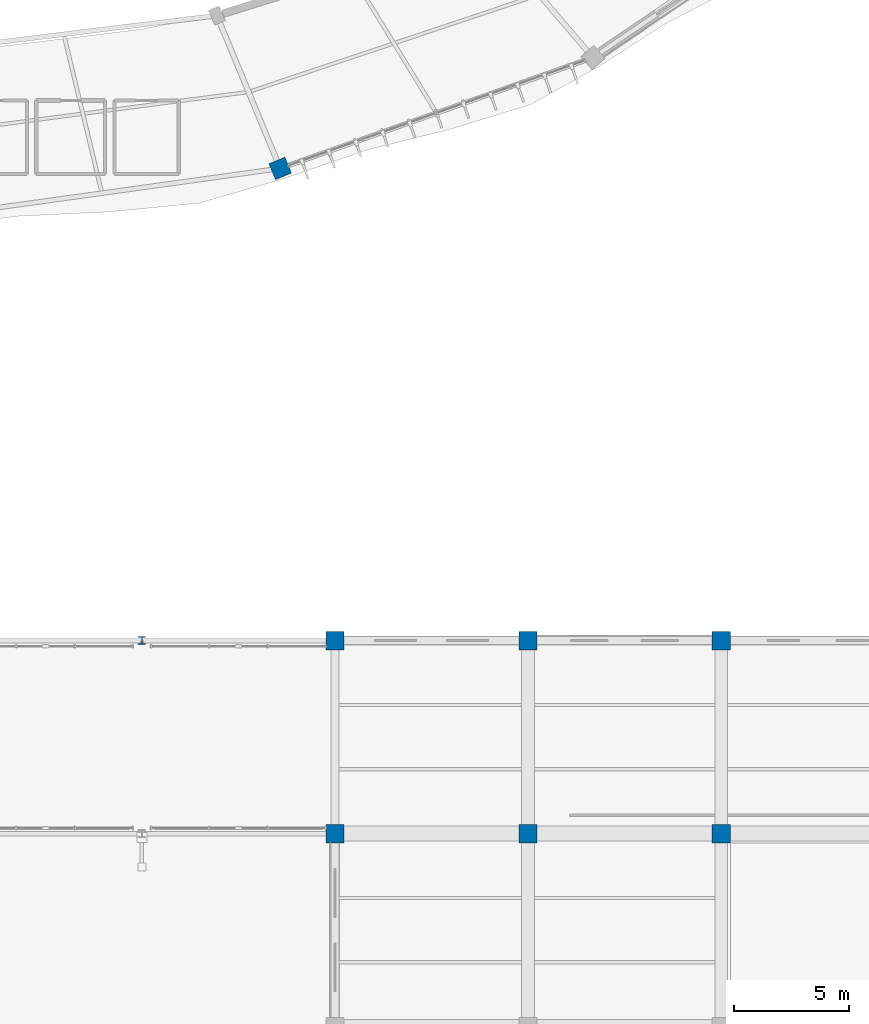
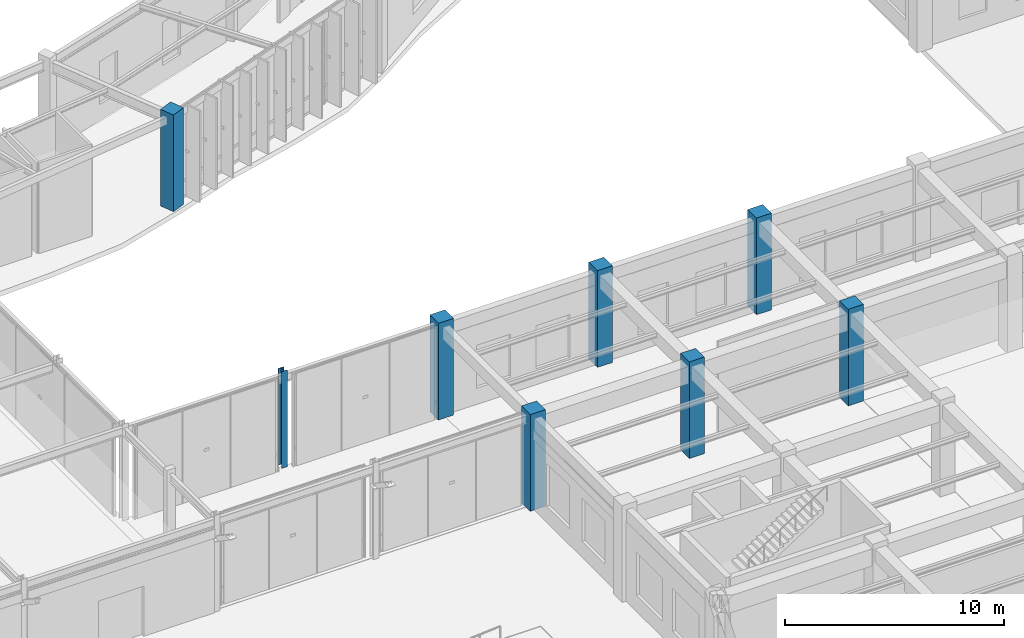
# One storey, part 4 of 157: 8 columns.
"""IFC4 building model written with IfcOpenShell, lengths in metres."""

from ifc_helpers import new_model, si_unit, direction, frame, origin, origin_2d, place, context, subcontext, project, spatial, rectangle, i_section, extrude, material, material_profile, profile_set, type_object, element, save


model = new_model("IFC4")

# Units and contexts
model_context = context("Model", 3, precision=1e-05, world=origin(), true_north=direction((0.0, 1.0)))
body_context = subcontext(model_context, "Body", "Model", "MODEL_VIEW")
ifc_project = project(units=[si_unit("LENGTHUNIT", "METRE"), si_unit("AREAUNIT", "SQUARE_METRE"), si_unit("VOLUMEUNIT", "CUBIC_METRE"), si_unit("PLANEANGLEUNIT", "RADIAN"), si_unit("MASSUNIT", "GRAM", prefix="KILO"), si_unit("THERMODYNAMICTEMPERATUREUNIT", "KELVIN"), si_unit("POWERUNIT", "WATT")], contexts=[model_context])

# Site, building, storey
site_placement = place(None, origin())
site = spatial("IfcSite", under=ifc_project, at=site_placement, CompositionType="ELEMENT")
building_placement = place(site_placement, origin())
building = spatial("IfcBuilding", under=site, at=building_placement, Name="Darbajah Civic Hall", CompositionType="ELEMENT")
storey_placement = place(building_placement, origin())
storey = spatial("IfcBuildingStorey", under=building, at=storey_placement, Name="L00", CompositionType="ELEMENT", Elevation=0.0)

# Columns
ifc_material_1 = material(Name="Concrete C50/60", Category="concrete")
ifc_material_profile_1 = material_profile(ifc_material_1, rectangle(XDim=0.75, YDim=0.75, at=origin_2d()), Name="RC COL 750x750")
ifc_profile_set_1 = profile_set([ifc_material_profile_1], Name="Concrete C50/60")
column_type_1 = type_object("IfcColumnType", Name="RC COL 750x750", PredefinedType="COLUMN", material=ifc_profile_set_1)
column_1_placement = place(storey_placement, frame((108.616943359375, 62.545654296875, 0.0), z_axis=(0.0, 0.0, 1.0), x_axis=(0.382683432365, -0.923879532511, 0.0)))
element("IfcColumn", 1, at=column_1_placement, inside=storey, type_object=column_type_1, Name="L00 column C-RC750", PredefinedType="COLUMN", context=body_context, shape_type="SweptSolid", body=[
    extrude(rectangle(XDim=0.75, YDim=0.75, at=origin_2d()), origin(), (0.0, 0.0, 1.0), 5.39990234375),
])
ifc_material_profile_2 = material_profile(ifc_material_1, rectangle(XDim=0.800048828125, YDim=0.800048828125, at=origin_2d()), Name="RC COL 800x800")
ifc_profile_set_2 = profile_set([ifc_material_profile_2], Name="Concrete C50/60")
column_type_2 = type_object("IfcColumnType", Name="RC COL 800x800", PredefinedType="COLUMN", material=ifc_profile_set_2)
for number, where, z_axis, x_axis, name in (
    (2, (111.0, 33.60009765625, 0.0), (0.0, 0.0, 1.0), (1.0, 0.0, 0.0), "L00 column C-RC800"),
    (3, (111.0, 42.0, 0.0), (0.0, 0.0, 1.0), (1.0, 0.0, 0.0), "L00 column C-RC800"),
    (4, (119.39990234375, 33.60009765625, 0.0), (0.0, 0.0, 1.0), (1.0, 0.0, 0.0), "L00 column C-RC800"),
    (5, (119.39990234375, 42.0, 0.0), (0.0, 0.0, 1.0), (1.0, 0.0, 0.0), "L00 column C-RC800"),
    (6, (127.800048828125, 33.60009765625, 0.0), (0.0, 0.0, 1.0), (1.0, 0.0, 0.0), "L00 column C-RC800"),
    (7, (127.800048828125, 42.0, 0.0), (0.0, 0.0, 1.0), (1.0, 0.0, 0.0), "L00 column C-RC800"),
):
    element("IfcColumn", number, at=place(storey_placement, frame(where, z_axis=z_axis, x_axis=x_axis)), inside=storey, type_object=column_type_2, Name=name, PredefinedType="COLUMN", context=body_context, shape_type="SweptSolid", body=[
        extrude(rectangle(XDim=0.800048828125, YDim=0.800048828125, at=origin_2d()), origin(), (0.0, 0.0, 1.0), 5.39990234375),
    ])
ifc_material_2 = material(Name="Steel S355JR", Category="steel")
ifc_material_profile_3 = material_profile(ifc_material_2, i_section(OverallWidth=0.30908203125, OverallDepth=0.320556640625, WebThickness=0.013916015625, FlangeThickness=0.021728515625, FilletRadius=0.01513671875, at=origin_2d()), Name="UC 305x305x137")
ifc_profile_set_3 = profile_set([ifc_material_profile_3], Name="Steel S355JR")
column_type_3 = type_object("IfcColumnType", Name="UC 305x305x137", PredefinedType="COLUMN", material=ifc_profile_set_3)
column_2_placement = place(storey_placement, frame((102.60009765625, 42.0, 0.0), z_axis=(0.0, 0.0, 1.0), x_axis=(1.0, 0.0, 0.0)))
element("IfcColumn", 8, at=column_2_placement, inside=storey, type_object=column_type_3, Name="L00 column C-UC305", PredefinedType="COLUMN", context=body_context, shape_type="SweptSolid", body=[
    extrude(i_section(OverallWidth=0.30908203125, OverallDepth=0.320556640625, WebThickness=0.013916015625, FlangeThickness=0.021728515625, FilletRadius=0.01513671875, at=origin_2d()), origin(), (0.0, 0.0, 1.0), 5.39990234375),
])

save(model, "model.ifc")
